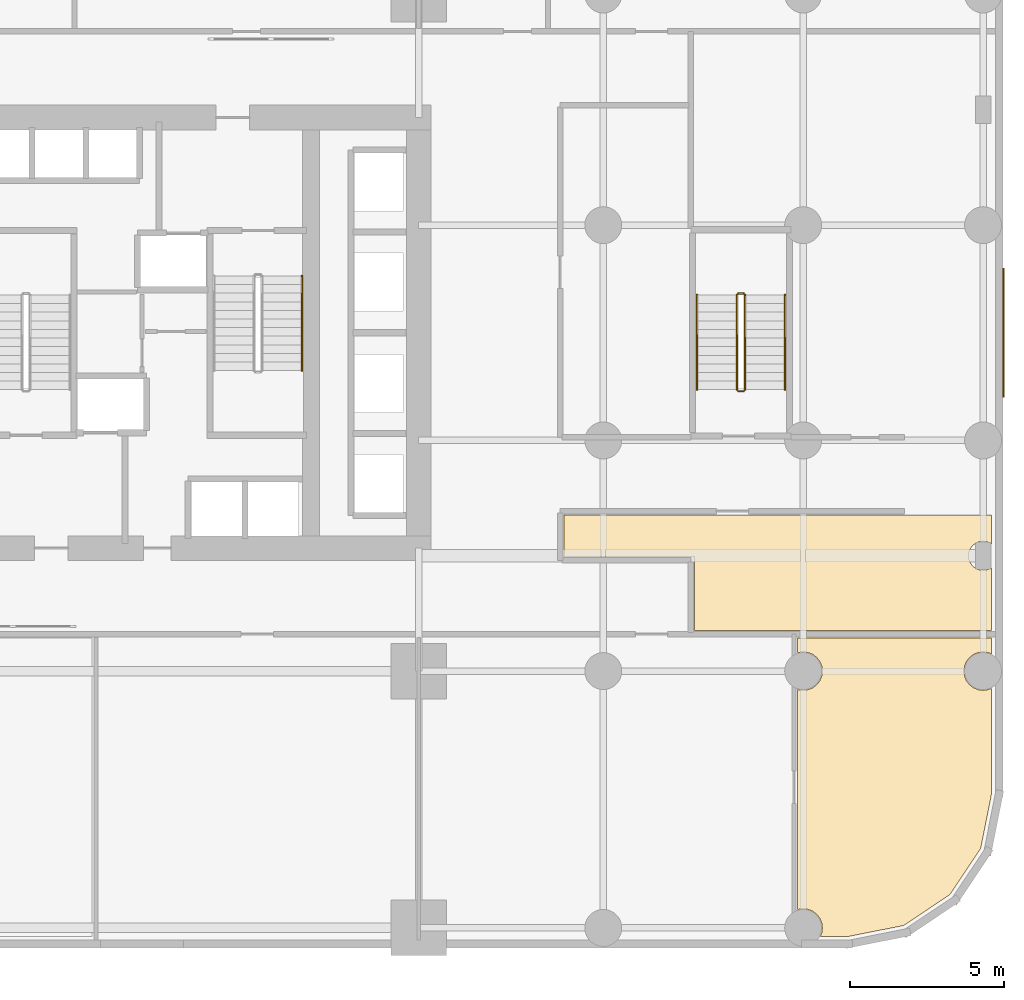
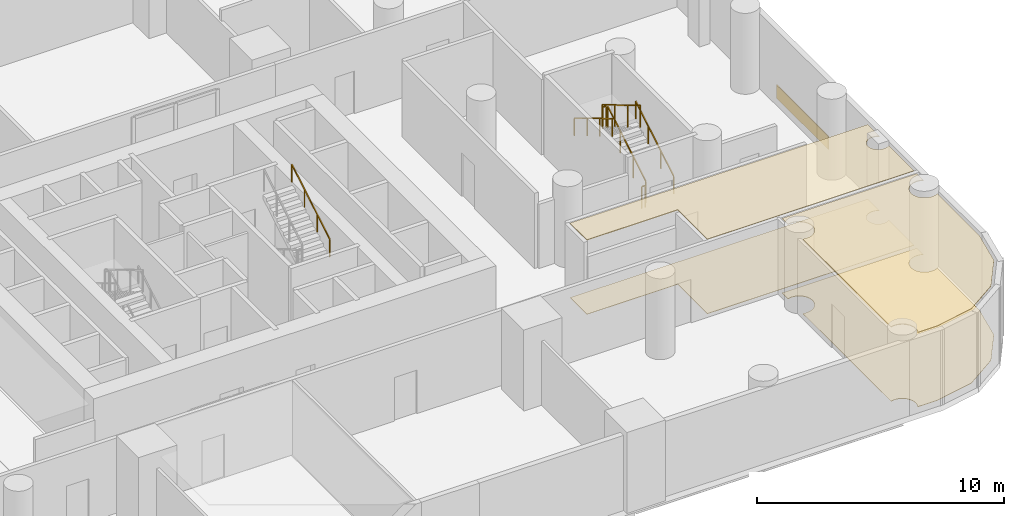
# One storey, part 12 of 12: 7 railings, 5 coverings.
"""IFC4 building model written with IfcOpenShell, lengths in metres."""

from ifc_helpers import new_model, si_unit, direction, frame, origin, origin_2d, place, context, subcontext, project, spatial, polyline, rectangle, outline, extrude, material, layer, layer_set, type_object, element, save


model = new_model("IFC4")

# Units and contexts
model_context = context("Model", 3, precision=1e-05, world=origin(), true_north=direction((0.0, 1.0)))
body_context = subcontext(model_context, "Body", "Model", "MODEL_VIEW")
ifc_project = project(units=[si_unit("LENGTHUNIT", "METRE"), si_unit("AREAUNIT", "SQUARE_METRE"), si_unit("VOLUMEUNIT", "CUBIC_METRE"), si_unit("PLANEANGLEUNIT", "RADIAN"), si_unit("MASSUNIT", "GRAM", prefix="KILO")], contexts=[model_context])

# Site, building, storey
site_placement = place(None, origin())
site = spatial("IfcSite", under=ifc_project, at=site_placement, CompositionType="ELEMENT")
building_placement = place(site_placement, origin())
building = spatial("IfcBuilding", under=site, at=building_placement, Name="Veldorim Arch Residences", CompositionType="ELEMENT")
storey_placement = place(building_placement, frame((0.0, 0.0, 12.0)))
storey = spatial("IfcBuildingStorey", under=building, at=storey_placement, Name="L03", CompositionType="ELEMENT", Elevation=12.0)

# Railings
ifc_material_1 = material(Name="Steel S355", Category="steel")
railing_type_1 = type_object("IfcRailingType", Name="Galvanised Steel Stair Safety Guardrail 1100", PredefinedType="GUARDRAIL", material=ifc_material_1)
railing_1_placement = place(storey_placement, frame((51.610107421875, 22.14990234375, 0.166748046875)))
element("IfcRailing", 1, at=railing_1_placement, inside=storey, type_object=railing_type_1, Name="L03 ST-3 stair guard 1", PredefinedType="GUARDRAIL", context=body_context, shape_type="SweptSolid", body=[
    extrude(rectangle(XDim=0.048095703125, YDim=0.048095703125, at=origin_2d()), frame((0.0, 0.0, 1.076171875), z_axis=(0.0, 0.859308565015, 0.511457515432), x_axis=(-1.0, 0.0, 0.0)), (0.0, 0.0, 1.0), 3.58447265625),
    extrude(rectangle(XDim=0.0419921875, YDim=0.0419921875, at=origin_2d()), origin(), (0.0, 0.0, 1.0), 1.052001953125),
    extrude(rectangle(XDim=0.0419921875, YDim=0.0419921875, at=origin_2d()), frame((0.0, 1.026611328125, 0.611083984375)), (0.0, 0.0, 1.0), 1.052001953125),
    extrude(rectangle(XDim=0.0419921875, YDim=0.0419921875, at=origin_2d()), frame((0.0, 2.053466796875, 1.22216796875)), (0.0, 0.0, 1.0), 1.052001953125),
    extrude(rectangle(XDim=0.0419921875, YDim=0.0419921875, at=origin_2d()), frame((0.0, 3.080078125, 1.833251953125)), (0.0, 0.0, 1.0), 1.052001953125),
])
railing_2_placement = place(storey_placement, frame((51.56005859375, 25.280029296875, 2.0)))
element("IfcRailing", 2, at=railing_2_placement, inside=storey, type_object=railing_type_1, Name="L03 ST-3 stair guard 2", PredefinedType="GUARDRAIL", context=body_context, shape_type="SweptSolid", body=[
    extrude(rectangle(XDim=0.048095703125, YDim=0.048095703125, at=origin_2d()), frame((0.0, 0.0, 1.076171875), z_axis=(-1.0, 0.0, 0.0), x_axis=(0.0, -1.0, 0.0)), (0.0, 0.0, 1.0), 0.16015625),
    extrude(rectangle(XDim=0.0419921875, YDim=0.0419921875, at=origin_2d()), origin(), (0.0, 0.0, 1.0), 1.052001953125),
    extrude(rectangle(XDim=0.0419921875, YDim=0.0419921875, at=origin_2d()), frame((-0.16015625, 0.0, 0.0)), (0.0, 0.0, 1.0), 1.052001953125),
])
railing_3_placement = place(storey_placement, frame((51.35009765625, 25.22998046875, 2.166748046875)))
element("IfcRailing", 3, at=railing_3_placement, inside=storey, type_object=railing_type_1, Name="L03 ST-3 stair guard 3", PredefinedType="GUARDRAIL", context=body_context, shape_type="SweptSolid", body=[
    extrude(rectangle(XDim=0.048095703125, YDim=0.048095703125, at=origin_2d()), frame((0.0, 0.0, 1.076171875), z_axis=(0.0, -0.859308565015, 0.511457515432), x_axis=(1.0, 0.0, 0.0)), (0.0, 0.0, 1.0), 3.58447265625),
    extrude(rectangle(XDim=0.0419921875, YDim=0.0419921875, at=origin_2d()), origin(), (0.0, 0.0, 1.0), 1.052001953125),
    extrude(rectangle(XDim=0.0419921875, YDim=0.0419921875, at=origin_2d()), frame((0.0, -1.026611328125, 0.611083984375)), (0.0, 0.0, 1.0), 1.052001953125),
    extrude(rectangle(XDim=0.0419921875, YDim=0.0419921875, at=origin_2d()), frame((0.0, -2.053466796875, 1.22216796875)), (0.0, 0.0, 1.0), 1.052001953125),
    extrude(rectangle(XDim=0.0419921875, YDim=0.0419921875, at=origin_2d()), frame((0.0, -3.080078125, 1.833251953125)), (0.0, 0.0, 1.0), 1.052001953125),
])
railing_4_placement = place(storey_placement, frame((51.56005859375, 22.10009765625, 0.0)))
element("IfcRailing", 4, at=railing_4_placement, inside=storey, type_object=railing_type_1, Name="L03 ST-3 stair guard 4", PredefinedType="GUARDRAIL", context=body_context, shape_type="SweptSolid", body=[
    extrude(rectangle(XDim=0.048095703125, YDim=0.048095703125, at=origin_2d()), frame((0.0, 0.0, 1.076171875), z_axis=(-1.0, 0.0, 0.0), x_axis=(0.0, -1.0, 0.0)), (0.0, 0.0, 1.0), 0.16015625),
    extrude(rectangle(XDim=0.0419921875, YDim=0.0419921875, at=origin_2d()), origin(), (0.0, 0.0, 1.0), 1.052001953125),
    extrude(rectangle(XDim=0.0419921875, YDim=0.0419921875, at=origin_2d()), frame((-0.16015625, 0.0, 0.0)), (0.0, 0.0, 1.0), 1.052001953125),
])

# Coverings
ifc_material_2 = material(Name="Acoustic Gypsum & Mineral Fibre", Category="gypsum")
ifc_layer_1 = layer(ifc_material_2, 0.034912109375, Name="Perforated Acoustic Mineral-Fibre Ceiling 35")
ifc_layer_set_1 = layer_set([ifc_layer_1], Name="Acoustic Gypsum & Mineral Fibre")
covering_type_1 = type_object("IfcCoveringType", Name="Perforated Acoustic Mineral-Fibre Ceiling 35", PredefinedType="CEILING", material=ifc_layer_set_1)
covering_1_placement = place(storey_placement, frame((0.0, 0.0, 3.6650390625)))
element("IfcCovering", 5, at=covering_1_placement, inside=storey, type_object=covering_type_1, Name="L03 acoustic suspended ceiling 04", PredefinedType="CEILING", context=body_context, shape_type="SweptSolid", body=[
    extrude(outline(polyline([(58.268798828125, 5.731201171875), (56.76904296875, 4.72900390625), (54.963623046875, 4.3701171875), (54.0546875, 4.3701171875), (54.103759765625, 4.48828125), (54.125, 4.64990234375), (54.103759765625, 4.811767578125), (54.041259765625, 4.96240234375), (53.94189453125, 5.091796875), (53.8125, 5.19140625), (53.661865234375, 5.253662109375), (53.5, 5.27490234375), (53.338134765625, 5.253662109375), (53.320068359375, 5.24609375), (53.320068359375, 12.40380859375), (53.338134765625, 12.396240234375), (53.5, 12.375), (53.661865234375, 12.396240234375), (53.8125, 12.458740234375), (53.94189453125, 12.55810546875), (54.041259765625, 12.6875), (54.103759765625, 12.838134765625), (54.125, 13.0), (54.103759765625, 13.161865234375), (54.041259765625, 13.3125), (53.94189453125, 13.44189453125), (53.8125, 13.541259765625), (53.661865234375, 13.603759765625), (53.5, 13.625), (53.338134765625, 13.603759765625), (53.320068359375, 13.59619140625), (53.320068359375, 14.080078125), (59.6298828125, 14.080078125), (59.6298828125, 13.5546875), (59.51171875, 13.603759765625), (59.35009765625, 13.625), (59.188232421875, 13.603759765625), (59.03759765625, 13.541259765625), (58.908203125, 13.44189453125), (58.80859375, 13.3125), (58.746337890625, 13.161865234375), (58.72509765625, 13.0), (58.746337890625, 12.838134765625), (58.80859375, 12.6875), (58.908203125, 12.55810546875), (59.03759765625, 12.458740234375), (59.188232421875, 12.396240234375), (59.35009765625, 12.375), (59.51171875, 12.396240234375), (59.6298828125, 12.4453125), (59.6298828125, 9.036376953125), (59.27099609375, 7.23095703125), (58.268798828125, 5.731201171875)])), origin(), (0.0, 0.0, 1.0), 0.034912109375),
])
covering_2_placement = place(storey_placement, frame((0.0, 0.0, 3.6650390625)))
element("IfcCovering", 6, at=covering_2_placement, inside=storey, type_object=covering_type_1, Name="L03 acoustic suspended ceiling 05", PredefinedType="CEILING", context=body_context, shape_type="SweptSolid", body=[
    extrude(outline(polyline([(49.969970703125, 16.719970703125), (45.719970703125, 16.719970703125), (45.719970703125, 18.080078125), (59.6298828125, 18.080078125), (59.6298828125, 17.12890625), (59.58740234375, 17.161376953125), (59.472900390625, 17.208740234375), (59.35009765625, 17.22509765625), (59.22705078125, 17.208740234375), (59.112548828125, 17.161376953125), (59.01416015625, 17.0859375), (58.938720703125, 16.987548828125), (58.89111328125, 16.872802734375), (58.875, 16.75), (58.89111328125, 16.627197265625), (58.938720703125, 16.512451171875), (59.01416015625, 16.4140625), (59.112548828125, 16.338623046875), (59.22705078125, 16.291259765625), (59.35009765625, 16.27490234375), (59.472900390625, 16.291259765625), (59.58740234375, 16.338623046875), (59.6298828125, 16.37109375), (59.6298828125, 14.320068359375), (49.969970703125, 14.320068359375), (49.969970703125, 16.719970703125)])), origin(), (0.0, 0.0, 1.0), 0.034912109375),
])
ifc_material_3 = material(Name="Porcelain Ceramic Tile", Category="ceramic")
ifc_layer_2 = layer(ifc_material_3, 0.02001953125, Name="Slip-Resistant Porcelain & Vinyl Floor Finish 20")
ifc_layer_set_2 = layer_set([ifc_layer_2], Name="Porcelain Ceramic Tile")
covering_type_2 = type_object("IfcCoveringType", Name="Slip-Resistant Porcelain & Vinyl Floor Finish 20", PredefinedType="FLOORING", material=ifc_layer_set_2)
covering_3_placement = place(storey_placement, origin())
element("IfcCovering", 7, at=covering_3_placement, inside=storey, type_object=covering_type_2, Name="L03 porcelain floor finish 04", PredefinedType="FLOORING", context=body_context, shape_type="SweptSolid", body=[
    extrude(outline(polyline([(58.268798828125, 5.731201171875), (56.76904296875, 4.72900390625), (54.963623046875, 4.3701171875), (54.0546875, 4.3701171875), (54.103759765625, 4.48828125), (54.125, 4.64990234375), (54.103759765625, 4.811767578125), (54.041259765625, 4.96240234375), (53.94189453125, 5.091796875), (53.8125, 5.19140625), (53.661865234375, 5.253662109375), (53.5, 5.27490234375), (53.338134765625, 5.253662109375), (53.320068359375, 5.24609375), (53.320068359375, 12.40380859375), (53.338134765625, 12.396240234375), (53.5, 12.375), (53.661865234375, 12.396240234375), (53.8125, 12.458740234375), (53.94189453125, 12.55810546875), (54.041259765625, 12.6875), (54.103759765625, 12.838134765625), (54.125, 13.0), (54.103759765625, 13.161865234375), (54.041259765625, 13.3125), (53.94189453125, 13.44189453125), (53.8125, 13.541259765625), (53.661865234375, 13.603759765625), (53.5, 13.625), (53.338134765625, 13.603759765625), (53.320068359375, 13.59619140625), (53.320068359375, 14.080078125), (59.6298828125, 14.080078125), (59.6298828125, 13.5546875), (59.51171875, 13.603759765625), (59.35009765625, 13.625), (59.188232421875, 13.603759765625), (59.03759765625, 13.541259765625), (58.908203125, 13.44189453125), (58.80859375, 13.3125), (58.746337890625, 13.161865234375), (58.72509765625, 13.0), (58.746337890625, 12.838134765625), (58.80859375, 12.6875), (58.908203125, 12.55810546875), (59.03759765625, 12.458740234375), (59.188232421875, 12.396240234375), (59.35009765625, 12.375), (59.51171875, 12.396240234375), (59.6298828125, 12.4453125), (59.6298828125, 9.036376953125), (59.27099609375, 7.23095703125), (58.268798828125, 5.731201171875)])), origin(), (0.0, 0.0, 1.0), 0.02001953125),
])
covering_4_placement = place(storey_placement, origin())
element("IfcCovering", 8, at=covering_4_placement, inside=storey, type_object=covering_type_2, Name="L03 porcelain floor finish 05", PredefinedType="FLOORING", context=body_context, shape_type="SweptSolid", body=[
    extrude(outline(polyline([(49.969970703125, 16.719970703125), (45.719970703125, 16.719970703125), (45.719970703125, 18.080078125), (59.6298828125, 18.080078125), (59.6298828125, 17.12890625), (59.58740234375, 17.161376953125), (59.472900390625, 17.208740234375), (59.35009765625, 17.22509765625), (59.22705078125, 17.208740234375), (59.112548828125, 17.161376953125), (59.01416015625, 17.0859375), (58.938720703125, 16.987548828125), (58.89111328125, 16.872802734375), (58.875, 16.75), (58.89111328125, 16.627197265625), (58.938720703125, 16.512451171875), (59.01416015625, 16.4140625), (59.112548828125, 16.338623046875), (59.22705078125, 16.291259765625), (59.35009765625, 16.27490234375), (59.472900390625, 16.291259765625), (59.58740234375, 16.338623046875), (59.6298828125, 16.37109375), (59.6298828125, 14.320068359375), (49.969970703125, 14.320068359375), (49.969970703125, 16.719970703125)])), origin(), (0.0, 0.0, 1.0), 0.02001953125),
])
ifc_material_4 = material(Name="Terracotta Ceramic", Category="masonry")
ifc_layer_3 = layer(ifc_material_4, 0.0400390625, Name="Terracotta Rainscreen Spandrel Cladding Panel")
ifc_layer_set_3 = layer_set([ifc_layer_3], Name="Terracotta Ceramic")
covering_type_3 = type_object("IfcCoveringType", Name="Terracotta Rainscreen Spandrel Cladding Panel", PredefinedType="CLADDING", material=ifc_layer_set_3)
covering_5_placement = place(storey_placement, frame((60.010009765625, 24.0, 0.025146484375), z_axis=(0.0, 0.0, 1.0), x_axis=(0.0, 1.0, 0.0)))
element("IfcCovering", 9, at=covering_5_placement, inside=storey, type_object=covering_type_3, Name="L03 terracotta rainscreen spandrel panel 2", PredefinedType="CLADDING", context=body_context, shape_type="SweptSolid", body=[
    extrude(rectangle(XDim=4.199951171875, YDim=0.0400390625, at=origin_2d()), origin(), (0.0, 0.0, 1.0), 0.64990234375),
])

# Railings
ifc_material_5 = material(Name="Stainless Steel", Category="steel")
railing_type_2 = type_object("IfcRailingType", Name="Tubular Steel Continuous Wall Handrail 900", PredefinedType="HANDRAIL", material=ifc_material_5)
for number, where, name in (
    (10, (37.199951171875, 22.77001953125, 2.166748046875), "L03 ST-2 stair handrail 2"),
    (11, (52.909912109375, 22.14990234375, 0.166748046875), "L03 ST-3 stair handrail 1"),
):
    element("IfcRailing", number, at=place(storey_placement, frame(where)), inside=storey, type_object=railing_type_2, Name=name, PredefinedType="HANDRAIL", context=body_context, shape_type="SweptSolid", body=[
        extrude(rectangle(XDim=0.048095703125, YDim=0.048095703125, at=origin_2d()), frame((0.0, 0.0, 0.8759765625), z_axis=(0.0, 0.859308565015, 0.511457515432), x_axis=(-1.0, 0.0, 0.0)), (0.0, 0.0, 1.0), 3.58447265625),
        extrude(rectangle(XDim=0.0419921875, YDim=0.0419921875, at=origin_2d()), origin(), (0.0, 0.0, 1.0), 0.851806640625),
        extrude(rectangle(XDim=0.0419921875, YDim=0.0419921875, at=origin_2d()), frame((0.0, 1.026611328125, 0.611083984375)), (0.0, 0.0, 1.0), 0.851806640625),
        extrude(rectangle(XDim=0.0419921875, YDim=0.0419921875, at=origin_2d()), frame((0.0, 2.053466796875, 1.22216796875)), (0.0, 0.0, 1.0), 0.851806640625),
        extrude(rectangle(XDim=0.0419921875, YDim=0.0419921875, at=origin_2d()), frame((0.0, 3.080078125, 1.833251953125)), (0.0, 0.0, 1.0), 0.851806640625),
    ])
railing_5_placement = place(storey_placement, frame((50.050048828125, 25.22998046875, 2.166748046875)))
element("IfcRailing", 12, at=railing_5_placement, inside=storey, type_object=railing_type_2, Name="L03 ST-3 stair handrail 2", PredefinedType="HANDRAIL", context=body_context, shape_type="SweptSolid", body=[
    extrude(rectangle(XDim=0.048095703125, YDim=0.048095703125, at=origin_2d()), frame((0.0, 0.0, 0.8759765625), z_axis=(0.0, -0.859308565015, 0.511457515432), x_axis=(1.0, 0.0, 0.0)), (0.0, 0.0, 1.0), 3.58447265625),
    extrude(rectangle(XDim=0.0419921875, YDim=0.0419921875, at=origin_2d()), origin(), (0.0, 0.0, 1.0), 0.851806640625),
    extrude(rectangle(XDim=0.0419921875, YDim=0.0419921875, at=origin_2d()), frame((0.0, -1.026611328125, 0.611083984375)), (0.0, 0.0, 1.0), 0.851806640625),
    extrude(rectangle(XDim=0.0419921875, YDim=0.0419921875, at=origin_2d()), frame((0.0, -2.053466796875, 1.22216796875)), (0.0, 0.0, 1.0), 0.851806640625),
    extrude(rectangle(XDim=0.0419921875, YDim=0.0419921875, at=origin_2d()), frame((0.0, -3.080078125, 1.833251953125)), (0.0, 0.0, 1.0), 0.851806640625),
])

save(model, "model.ifc")
